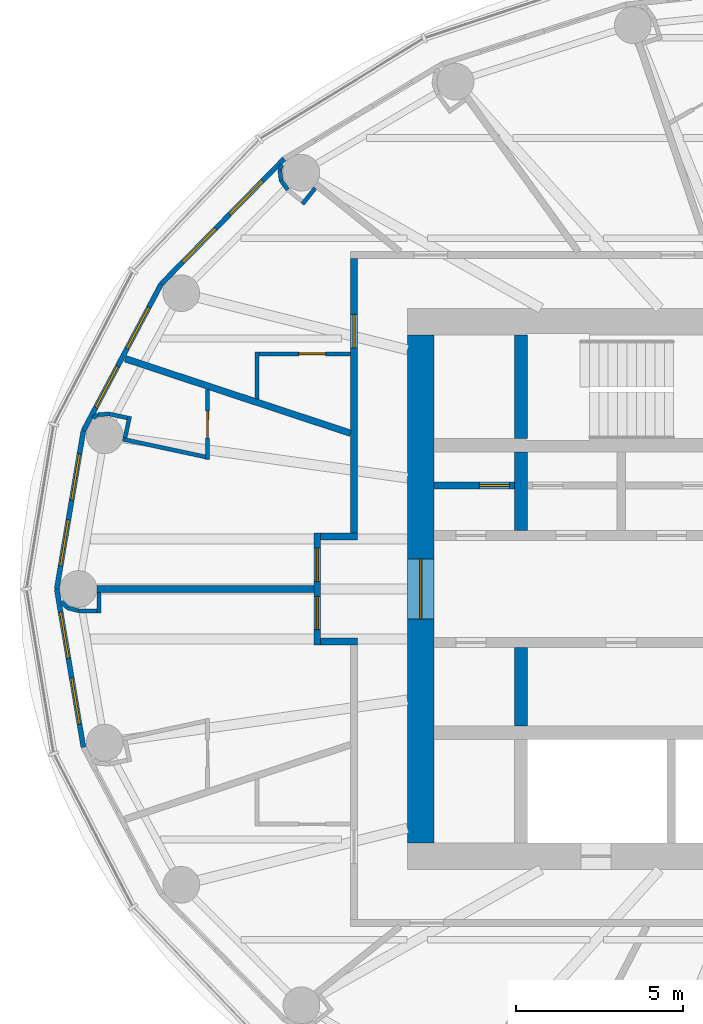
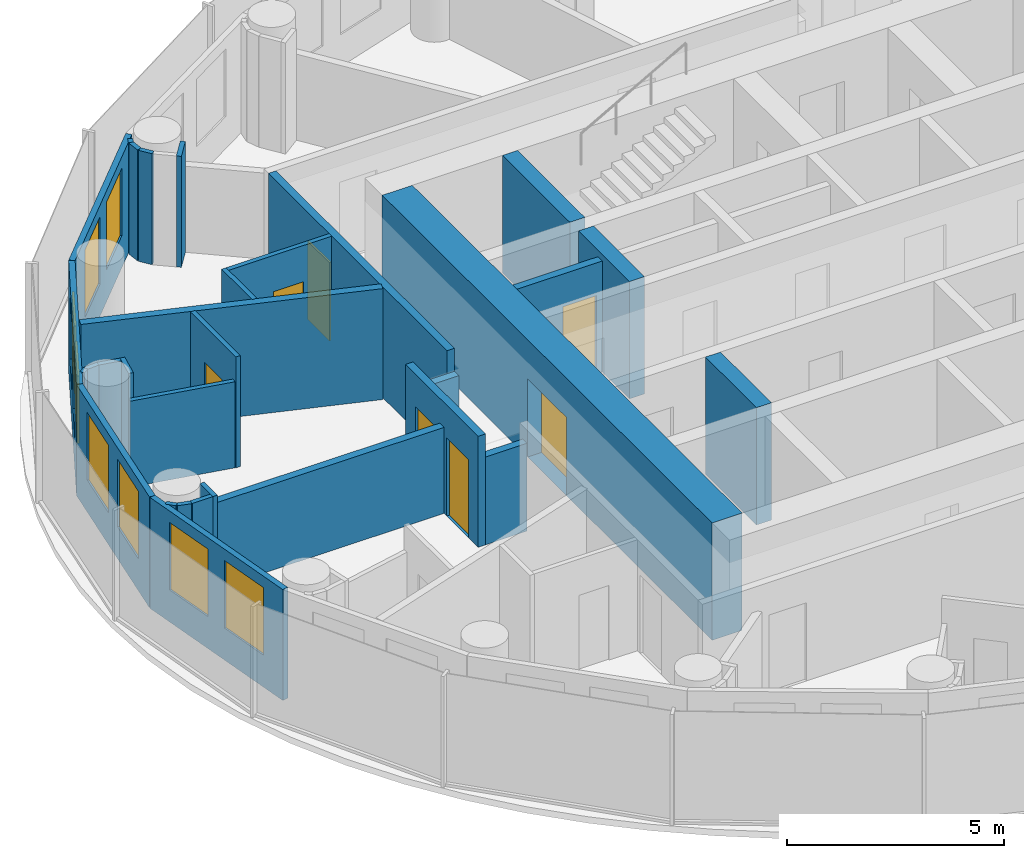
# One storey, part 8 of 13: 31 walls, 8 windows, 7 doors, 15 openings.
"""IFC4 building model written with IfcOpenShell, lengths in metres."""

import ifcopenshell
import ifcopenshell.guid

model = None  # the IFC model being written
_history = None  # IfcOwnerHistory: only IFC2X3 demands one
_inside = {}  # id of a spatial element -> (the spatial element, [elements in it])
_under = {}  # id of a project, library or spatial element -> (it, [spatial elements below it])
_declared = {}  # id of a project -> (the project, [libraries it declares])
_typed = {}  # id of a type object -> (the type object, [elements of that type])
_made_of = {}  # id of a material, layer set ... -> (it, [elements and type objects made of it])


def new_model(schema):
    """Start an empty IFC model of exactly this schema.

    Asked for "IFC4X3", IfcOpenShell would pick the latest addendum, in which some entities
    have other attributes; the version numbers below select the first issue.
    IFC2X3 requires an IfcOwnerHistory on every rooted entity: one is made here for all.
    """
    global model, _history
    if schema == "IFC4X3":
        model = ifcopenshell.file(schema_version=(4, 3, 0, 0))
    else:
        model = ifcopenshell.file(schema=schema)
    _inside.clear()
    _under.clear()
    _declared.clear()
    _typed.clear()
    _made_of.clear()
    _history = None
    if model.schema == "IFC2X3":
        org = make("IfcOrganization", Name="unknown")
        user = make(
            "IfcPersonAndOrganization",
            ThePerson=make("IfcPerson", FamilyName="unknown"),
            TheOrganization=org,
        )
        app = make(
            "IfcApplication",
            ApplicationDeveloper=org,
            Version="unknown",
            ApplicationFullName="unknown",
            ApplicationIdentifier="unknown",
        )
        _history = make(
            "IfcOwnerHistory",
            OwningUser=user,
            OwningApplication=app,
            ChangeAction="ADDED",
            CreationDate=0,
        )
    return model


def make(cls, **values):
    """One entity of the class cls with the attributes given. An attribute that is None is left unset."""
    return model.create_entity(
        cls, **{name: value for name, value in values.items() if value is not None}
    )


def rooted(cls, **values):
    """An entity with a GlobalId (a new one), such as an element, a storey or a relation."""
    return make(cls, GlobalId=ifcopenshell.guid.new(), OwnerHistory=_history, **values)


def si_unit(unit_type, name, prefix=None):
    """IfcSIUnit, for example si_unit("LENGTHUNIT", "METRE", prefix="MILLI")."""
    return make("IfcSIUnit", UnitType=unit_type, Prefix=prefix, Name=name)


def assignment(units):
    """IfcUnitAssignment: the units of a project."""
    return None if units is None else make("IfcUnitAssignment", Units=units)


def point(xyz):
    """IfcCartesianPoint."""
    return None if xyz is None else make("IfcCartesianPoint", Coordinates=xyz)


def direction(xyz):
    """IfcDirection."""
    return None if xyz is None else make("IfcDirection", DirectionRatios=xyz)


def frame(location, z_axis=None, x_axis=None):
    """IfcAxis2Placement3D, a coordinate frame: its origin and axes. An axis left out is left unset."""
    return make(
        "IfcAxis2Placement3D",
        Location=point(location),
        Axis=direction(z_axis),
        RefDirection=direction(x_axis),
    )


def frame_2d(location, x_axis=None):
    """IfcAxis2Placement2D, a coordinate frame in the plane: its origin and x axis."""
    return make(
        "IfcAxis2Placement2D", Location=point(location), RefDirection=direction(x_axis)
    )


def origin():
    """The frame at (0, 0, 0) with its axes left unset."""
    return frame((0.0, 0.0, 0.0))


def place(relative_to, where):
    """IfcLocalPlacement: puts the frame where relative to a parent placement (None: the world)."""
    return make(
        "IfcLocalPlacement", PlacementRelTo=relative_to, RelativePlacement=where
    )


def context(
    kind, dimensions, precision=None, world=None, true_north=None, identifier=None
):
    """IfcGeometricRepresentationContext, for example the 3D "Model" context."""
    return make(
        "IfcGeometricRepresentationContext",
        ContextIdentifier=identifier,
        ContextType=kind,
        CoordinateSpaceDimension=dimensions,
        Precision=precision,
        WorldCoordinateSystem=world,
        TrueNorth=true_north,
    )


def subcontext(parent, identifier, kind, view, scale=None):
    """IfcGeometricRepresentationSubContext, for example "Body" below "Model"."""
    return make(
        "IfcGeometricRepresentationSubContext",
        ContextIdentifier=identifier,
        ContextType=kind,
        ParentContext=parent,
        TargetScale=scale,
        TargetView=view,
    )


def project(units=None, contexts=None):
    """IfcProject with its units and contexts."""
    return rooted(
        "IfcProject",
        Name="project",
        RepresentationContexts=contexts,
        UnitsInContext=assignment(units),
    )


def spatial(cls, under=None, at=None, **own):
    """A site, building, storey or space (cls), placed at a placement, below another one or the project."""
    s = rooted(cls, ObjectPlacement=at, **own)
    if under is not None:
        _under.setdefault(under.id(), (under, []))[1].append(s)
    return s


def profile(cls, at=None, kind="AREA", **sizes):
    """A parametric profile (cls). Its sizes go by their IFC names, for example OverallWidth=200.0."""
    return make(cls, ProfileType=kind, Position=at, **sizes)


def rectangle(**sizes):
    """IfcRectangleProfileDef."""
    return profile("IfcRectangleProfileDef", **sizes)


def extrude(swept, where, along, depth):
    """IfcExtrudedAreaSolid: the profile swept, set in the frame where, extruded along a direction by depth."""
    return make(
        "IfcExtrudedAreaSolid",
        SweptArea=swept,
        Position=where,
        ExtrudedDirection=direction(along),
        Depth=depth,
    )


def shape(context_of_items, identifier, shape_type, items):
    """IfcShapeRepresentation: the items that make up one representation, for example the "Body"."""
    return make(
        "IfcShapeRepresentation",
        ContextOfItems=context_of_items,
        RepresentationIdentifier=identifier,
        RepresentationType=shape_type,
        Items=items,
    )


def material(Name=None, Category=None):
    """IfcMaterial."""
    return make("IfcMaterial", Name=Name, Category=Category)


def layer(
    of_material, thickness, ventilated=None, Name=None, Category=None, Priority=None
):
    """IfcMaterialLayer: one layer of a wall or slab, of a material (None: an air gap)."""
    return make(
        "IfcMaterialLayer",
        Material=of_material,
        LayerThickness=thickness,
        IsVentilated=ventilated,
        Name=Name,
        Category=Category,
        Priority=Priority,
    )


def layer_set(layers, Name=None):
    """IfcMaterialLayerSet."""
    return make("IfcMaterialLayerSet", MaterialLayers=layers, LayerSetName=Name)


def made_of(thing, what):
    """Note that an element or type object is made of a material, layer set ...; save() writes the relation."""
    if what is not None:
        _made_of.setdefault(what.id(), (what, []))[1].append(thing)
    return thing


def type_object(cls, material=None, **own):
    """A type object (cls), such as IfcWallType, which elements share."""
    return made_of(rooted(cls, **own), material)


def element(
    cls,
    number,
    at=None,
    inside=None,
    cuts=None,
    type_object=None,
    material=None,
    context=None,
    identifier="Body",
    shape_type=None,
    held_by="IfcProductDefinitionShape",
    body=None,
    shapes=None,
    **own,
):
    """One element of the class cls, such as IfcWall. Its Tag is "e" and its number.

    at: its placement. inside: the storey or other place that contains it. cuts: it is an
    opening in that element (IfcRelVoidsElement). A single representation is given by context,
    identifier, shape_type and body (its items); several are given by shapes. held_by: the class
    of the entity that holds the representations. save() writes the other relations.
    """
    e = rooted(cls, Tag="e%d" % number, ObjectPlacement=at, **own)
    if body is not None:
        shapes = [shape(context, identifier, shape_type, body)]
    if shapes is not None:
        e.Representation = make(held_by, Representations=shapes)
    if inside is not None:
        _inside.setdefault(inside.id(), (inside, []))[1].append(e)
    if cuts is not None:
        rooted(
            "IfcRelVoidsElement", RelatingBuildingElement=cuts, RelatedOpeningElement=e
        )
    if type_object is not None:
        _typed.setdefault(type_object.id(), (type_object, []))[1].append(e)
    return made_of(e, material)


def fill(opening, filler):
    """IfcRelFillsElement: the door or window that sits in an opening."""
    return rooted(
        "IfcRelFillsElement",
        RelatingOpeningElement=opening,
        RelatedBuildingElement=filler,
    )


def aggregate(whole, parts):
    """IfcRelAggregates: a whole, such as a stair, and the parts it consists of."""
    return rooted("IfcRelAggregates", RelatingObject=whole, RelatedObjects=parts)


def save(model, path):
    """Write the relations noted so far, then the file.

    IfcRelAggregates (storeys below a building ...), IfcRelContainedInSpatialStructure (elements
    in a storey), IfcRelDefinesByType, IfcRelAssociatesMaterial and IfcRelDeclares: one each for
    every whole, place, type object, material and project.
    """
    for whole, parts in _under.values():
        aggregate(whole, parts)
    for where, things in _inside.values():
        rooted(
            "IfcRelContainedInSpatialStructure",
            RelatedElements=things,
            RelatingStructure=where,
        )
    for kind, things in _typed.values():
        rooted("IfcRelDefinesByType", RelatedObjects=things, RelatingType=kind)
    for what, things in _made_of.values():
        rooted("IfcRelAssociatesMaterial", RelatedObjects=things, RelatingMaterial=what)
    for by, libraries in _declared.values():
        rooted("IfcRelDeclares", RelatingContext=by, RelatedDefinitions=libraries)
    model.write(path)


model = new_model("IFC4")

# Units and contexts
model_context = context("Model", 3, precision=1e-05, world=origin(), true_north=direction((0.0, 1.0)))
body_context = subcontext(model_context, "Body", "Model", "MODEL_VIEW")
ifc_project = project(units=[si_unit("LENGTHUNIT", "METRE"), si_unit("AREAUNIT", "SQUARE_METRE"), si_unit("VOLUMEUNIT", "CUBIC_METRE"), si_unit("PLANEANGLEUNIT", "RADIAN"), si_unit("MASSUNIT", "GRAM", prefix="KILO")], contexts=[model_context])

# Site, building, storey
site_placement = place(None, origin())
site = spatial("IfcSite", under=ifc_project, at=site_placement, CompositionType="ELEMENT")
building_placement = place(site_placement, origin())
building = spatial("IfcBuilding", under=site, at=building_placement, Name="Hankou Lantern Tower", CompositionType="ELEMENT")
storey_placement = place(building_placement, frame((0.0, 0.0, 163.199951171875)))
storey = spatial("IfcBuildingStorey", under=building, at=storey_placement, Name="L43", CompositionType="ELEMENT", Elevation=163.199951171875)

# Wall, opening, door
ifc_material_1 = material(Name="Concrete C60", Category="concrete")
ifc_layer_1 = layer(ifc_material_1, 0.800048828125)
ifc_layer_set_1 = layer_set([ifc_layer_1], Name="Concrete C60")
wall_type_1 = type_object("IfcWallType", Name="CW2 CORE WALL 800", PredefinedType="SHEAR", material=ifc_layer_set_1)
wall_1_placement = place(storey_placement, frame((-12.0, 7.60009765625, 0.0), z_axis=(0.0, 0.0, 1.0), x_axis=(0.0, -1.0, 0.0)))
wall_1 = element("IfcWall", 1, at=wall_1_placement, inside=storey, type_object=wall_type_1, Name="Core wall west L43", PredefinedType="SHEAR", context=body_context, shape_type="SweptSolid", body=[
    extrude(rectangle(XDim=15.2001953125, YDim=0.800048828125, at=frame_2d((7.60009765625, 0.0))), origin(), (0.0, 0.0, 1.0), 3.300048828125),
])
opening_1_placement = place(wall_1_placement, frame((6.699951171875, 0.0, 0.0)))
opening_1 = element("IfcOpeningElement", 2, at=opening_1_placement, cuts=wall_1, Name="Opening D6", PredefinedType="OPENING", context=body_context, shape_type="SweptSolid", body=[
    extrude(rectangle(XDim=1.800048828125, YDim=2.199951171875, at=frame_2d((0.89990234375, 1.10009765625))), frame((0.0, 0.409912109375, 0.0), z_axis=(0.0, -1.0, 0.0), x_axis=(1.0, 0.0, 0.0)), (0.0, 0.0, 1.0), 0.820068359375),
])
ifc_material_2 = material(Name="Steel door leaf", Category="steel")
door_type_1 = type_object("IfcDoorType", Name="D6 LIFT LOBBY DOOR 1800X2200", OperationType="DOUBLE_DOOR_DOUBLE_SWING", PredefinedType="DOOR", material=ifc_material_2)
door_1_placement = place(opening_1_placement, origin())
door_1 = element("IfcDoor", 3, at=door_1_placement, inside=storey, type_object=door_type_1, Name="Lift lobby west door", OperationType="DOUBLE_DOOR_DOUBLE_SWING", OverallHeight=2.199951171875, OverallWidth=1.800048828125, PredefinedType="DOOR", context=body_context, shape_type="SweptSolid", body=[
    extrude(rectangle(XDim=1.800048828125, YDim=2.199951171875, at=frame_2d((0.89990234375, 1.10009765625))), frame((0.0, 0.02490234375, 0.0), z_axis=(0.0, -1.0, 0.0), x_axis=(1.0, 0.0, 0.0)), (0.0, 0.0, 1.0), 0.050048828125),
])
fill(opening_1, door_1)

# Walls
ifc_material_3 = material(Name="Concrete C60", Category="concrete")
ifc_layer_2 = layer(ifc_material_3, 0.39990234375)
ifc_layer_set_2 = layer_set([ifc_layer_2], Name="Concrete C60")
wall_type_2 = type_object("IfcWallType", Name="CW4 CORE CROSS WALL 400", PredefinedType="SHEAR", material=ifc_layer_set_2)
wall_2_placement = place(storey_placement, frame((-9.0, 4.5, 0.0), z_axis=(0.0, 0.0, 1.0), x_axis=(0.0, 1.0, 0.0)))
element("IfcWall", 4, at=wall_2_placement, inside=storey, type_object=wall_type_2, Name="Core strip wall L43", PredefinedType="SHEAR", context=body_context, shape_type="SweptSolid", body=[
    extrude(rectangle(XDim=3.10009765625, YDim=0.39990234375, at=frame_2d((1.550048828125, 0.0))), origin(), (0.0, 0.0, 1.0), 3.300048828125),
])
for number, where, z_axis, x_axis, name in (
    (5, (-9.0, 1.75, 0.0), (0.0, 0.0, 1.0), (0.0, 1.0, 0.0), "Core strip wall L43"),
    (6, (-9.0, -4.10009765625, 0.0), (0.0, 0.0, 1.0), (0.0, 1.0, 0.0), "Core strip wall L43"),
):
    element("IfcWall", number, at=place(storey_placement, frame(where, z_axis=z_axis, x_axis=x_axis)), inside=storey, type_object=wall_type_2, Name=name, PredefinedType="SHEAR", context=body_context, shape_type="SweptSolid", body=[
        extrude(rectangle(XDim=2.35009765625, YDim=0.39990234375, at=frame_2d((1.175048828125, 0.0))), origin(), (0.0, 0.0, 1.0), 3.300048828125),
    ])

# Wall, openings, windows
ifc_material_4 = material(Name="Aluminium spandrel panel on steel studs", Category="steel")
ifc_layer_3 = layer(ifc_material_4, 0.14990234375)
ifc_layer_set_3 = layer_set([ifc_layer_3], Name="Aluminium spandrel panel on steel studs")
wall_type_3 = type_object("IfcWallType", Name="EW1 INNER SKIN WALL 150", PredefinedType="ELEMENTEDWALL", material=ifc_layer_set_3)
wall_3_placement = place(storey_placement, frame((-16.0947265625, 12.875732421875, 0.0), z_axis=(0.0, 0.0, 1.0), x_axis=(-0.700727467776, -0.71342905457, 0.0)))
wall_3 = element("IfcWall", 7, at=wall_3_placement, inside=storey, type_object=wall_type_3, Name="Inner skin R10-R11 L43", PredefinedType="ELEMENTEDWALL", context=body_context, shape_type="SweptSolid", body=[
    extrude(rectangle(XDim=5.247314453125, YDim=0.14990234375, at=frame_2d((2.62353515625, 0.0))), origin(), (0.0, 0.0, 1.0), 3.1201171875),
])
opening_2_placement = place(wall_3_placement, frame((0.923583984375, 0.0, 0.89990234375)))
opening_2 = element("IfcOpeningElement", 8, at=opening_2_placement, cuts=wall_3, Name="Opening W3", PredefinedType="OPENING", context=body_context, shape_type="SweptSolid", body=[
    extrude(rectangle(XDim=1.39990234375, YDim=1.89990234375, at=frame_2d((0.699951171875, 0.949951171875))), frame((0.0, 0.0849609375, 0.0), z_axis=(0.0, -1.0, 0.0), x_axis=(1.0, 0.0, 0.0)), (0.0, 0.0, 1.0), 0.169921875),
])
opening_3_placement = place(wall_3_placement, frame((2.923583984375, 0.0, 0.89990234375)))
opening_3 = element("IfcOpeningElement", 9, at=opening_3_placement, cuts=wall_3, Name="Opening W3", PredefinedType="OPENING", context=body_context, shape_type="SweptSolid", body=[
    extrude(rectangle(XDim=1.39990234375, YDim=1.89990234375, at=frame_2d((0.699951171875, 0.949951171875))), frame((0.0, 0.0849609375, 0.0), z_axis=(0.0, -1.0, 0.0), x_axis=(1.0, 0.0, 0.0)), (0.0, 0.0, 1.0), 0.169921875),
])
ifc_material_5 = material(Name="Aluminium framed double glazed window", Category="aluminium")
window_type = type_object("IfcWindowType", Name="W3 GUEST ROOM WINDOW 1400X1900", PartitioningType="DOUBLE_PANEL_VERTICAL", PredefinedType="WINDOW", material=ifc_material_5)
window_1_placement = place(opening_2_placement, origin())
window_1 = element("IfcWindow", 10, at=window_1_placement, inside=storey, type_object=window_type, Name="Window R10.1 L43", OverallHeight=1.89990234375, OverallWidth=1.39990234375, PartitioningType="SINGLE_PANEL", PredefinedType="WINDOW", context=body_context, shape_type="SweptSolid", body=[
    extrude(rectangle(XDim=1.39990234375, YDim=1.89990234375, at=frame_2d((0.699951171875, 0.949951171875))), frame((0.0, 0.030029296875, 0.0), z_axis=(0.0, -1.0, 0.0), x_axis=(1.0, 0.0, 0.0)), (0.0, 0.0, 1.0), 0.06005859375),
])
fill(opening_2, window_1)
window_2_placement = place(opening_3_placement, origin())
window_2 = element("IfcWindow", 11, at=window_2_placement, inside=storey, type_object=window_type, Name="Window R10.2 L43", OverallHeight=1.89990234375, OverallWidth=1.39990234375, PartitioningType="SINGLE_PANEL", PredefinedType="WINDOW", context=body_context, shape_type="SweptSolid", body=[
    extrude(rectangle(XDim=1.39990234375, YDim=1.89990234375, at=frame_2d((0.699951171875, 0.949951171875))), frame((0.0, 0.030029296875, 0.0), z_axis=(0.0, -1.0, 0.0), x_axis=(1.0, 0.0, 0.0)), (0.0, 0.0, 1.0), 0.06005859375),
])
fill(opening_3, window_2)

wall_4_placement = place(storey_placement, frame((-19.771728515625, 9.132080078125, 0.0), z_axis=(0.0, 0.0, 1.0), x_axis=(-0.468428906714, -0.883501193748, 0.0)))
wall_4 = element("IfcWall", 12, at=wall_4_placement, inside=storey, type_object=wall_type_3, Name="Inner skin R11-R12 L43", PredefinedType="ELEMENTEDWALL", context=body_context, shape_type="SweptSolid", body=[
    extrude(rectangle(XDim=4.9736328125, YDim=0.14990234375, at=frame_2d((2.48681640625, 0.0))), origin(), (0.0, 0.0, 1.0), 3.1201171875),
])
opening_4_placement = place(wall_4_placement, frame((0.786865234375, 0.0, 0.89990234375)))
opening_4 = element("IfcOpeningElement", 13, at=opening_4_placement, cuts=wall_4, Name="Opening W3", PredefinedType="OPENING", context=body_context, shape_type="SweptSolid", body=[
    extrude(rectangle(XDim=1.39990234375, YDim=1.89990234375, at=frame_2d((0.699951171875, 0.949951171875))), frame((0.0, 0.0849609375, 0.0), z_axis=(0.0, -1.0, 0.0), x_axis=(1.0, 0.0, 0.0)), (0.0, 0.0, 1.0), 0.169921875),
])
opening_5_placement = place(wall_4_placement, frame((2.786865234375, 0.0, 0.89990234375)))
opening_5 = element("IfcOpeningElement", 14, at=opening_5_placement, cuts=wall_4, Name="Opening W3", PredefinedType="OPENING", context=body_context, shape_type="SweptSolid", body=[
    extrude(rectangle(XDim=1.39990234375, YDim=1.89990234375, at=frame_2d((0.699951171875, 0.949951171875))), frame((0.0, 0.0849609375, 0.0), z_axis=(0.0, -1.0, 0.0), x_axis=(1.0, 0.0, 0.0)), (0.0, 0.0, 1.0), 0.169921875),
])
window_3_placement = place(opening_4_placement, origin())
window_3 = element("IfcWindow", 15, at=window_3_placement, inside=storey, type_object=window_type, Name="Window R11.1 L43", OverallHeight=1.89990234375, OverallWidth=1.39990234375, PartitioningType="SINGLE_PANEL", PredefinedType="WINDOW", context=body_context, shape_type="SweptSolid", body=[
    extrude(rectangle(XDim=1.39990234375, YDim=1.89990234375, at=frame_2d((0.699951171875, 0.949951171875))), frame((0.0, 0.030029296875, 0.0), z_axis=(0.0, -1.0, 0.0), x_axis=(1.0, 0.0, 0.0)), (0.0, 0.0, 1.0), 0.06005859375),
])
fill(opening_4, window_3)
window_4_placement = place(opening_5_placement, origin())
window_4 = element("IfcWindow", 16, at=window_4_placement, inside=storey, type_object=window_type, Name="Window R11.2 L43", OverallHeight=1.89990234375, OverallWidth=1.39990234375, PartitioningType="SINGLE_PANEL", PredefinedType="WINDOW", context=body_context, shape_type="SweptSolid", body=[
    extrude(rectangle(XDim=1.39990234375, YDim=1.89990234375, at=frame_2d((0.699951171875, 0.949951171875))), frame((0.0, 0.030029296875, 0.0), z_axis=(0.0, -1.0, 0.0), x_axis=(1.0, 0.0, 0.0)), (0.0, 0.0, 1.0), 0.06005859375),
])
fill(opening_5, window_4)

wall_5_placement = place(storey_placement, frame((-22.1015625, 4.73779296875, 0.0), z_axis=(0.0, 0.0, 1.0), x_axis=(-0.166162111254, -0.986098449843, 0.0)))
wall_5 = element("IfcWall", 17, at=wall_5_placement, inside=storey, type_object=wall_type_3, Name="Inner skin R12-R13 L43", PredefinedType="ELEMENTEDWALL", context=body_context, shape_type="SweptSolid", body=[
    extrude(rectangle(XDim=4.8046875, YDim=0.14990234375, at=frame_2d((2.40234375, 0.0))), origin(), (0.0, 0.0, 1.0), 3.1201171875),
])
opening_6_placement = place(wall_5_placement, frame((0.7021484375, 0.0, 0.89990234375)))
opening_6 = element("IfcOpeningElement", 18, at=opening_6_placement, cuts=wall_5, Name="Opening W3", PredefinedType="OPENING", context=body_context, shape_type="SweptSolid", body=[
    extrude(rectangle(XDim=1.39990234375, YDim=1.89990234375, at=frame_2d((0.699951171875, 0.949951171875))), frame((0.0, 0.0849609375, 0.0), z_axis=(0.0, -1.0, 0.0), x_axis=(1.0, 0.0, 0.0)), (0.0, 0.0, 1.0), 0.169921875),
])
opening_7_placement = place(wall_5_placement, frame((2.7021484375, 0.0, 0.89990234375)))
opening_7 = element("IfcOpeningElement", 19, at=opening_7_placement, cuts=wall_5, Name="Opening W3", PredefinedType="OPENING", context=body_context, shape_type="SweptSolid", body=[
    extrude(rectangle(XDim=1.39990234375, YDim=1.89990234375, at=frame_2d((0.699951171875, 0.949951171875))), frame((0.0, 0.0849609375, 0.0), z_axis=(0.0, -1.0, 0.0), x_axis=(1.0, 0.0, 0.0)), (0.0, 0.0, 1.0), 0.169921875),
])
window_5_placement = place(opening_6_placement, origin())
window_5 = element("IfcWindow", 20, at=window_5_placement, inside=storey, type_object=window_type, Name="Window R12.1 L43", OverallHeight=1.89990234375, OverallWidth=1.39990234375, PartitioningType="SINGLE_PANEL", PredefinedType="WINDOW", context=body_context, shape_type="SweptSolid", body=[
    extrude(rectangle(XDim=1.39990234375, YDim=1.89990234375, at=frame_2d((0.699951171875, 0.949951171875))), frame((0.0, 0.030029296875, 0.0), z_axis=(0.0, -1.0, 0.0), x_axis=(1.0, 0.0, 0.0)), (0.0, 0.0, 1.0), 0.06005859375),
])
fill(opening_6, window_5)
window_6_placement = place(opening_7_placement, origin())
window_6 = element("IfcWindow", 21, at=window_6_placement, inside=storey, type_object=window_type, Name="Window R12.2 L43", OverallHeight=1.89990234375, OverallWidth=1.39990234375, PartitioningType="SINGLE_PANEL", PredefinedType="WINDOW", context=body_context, shape_type="SweptSolid", body=[
    extrude(rectangle(XDim=1.39990234375, YDim=1.89990234375, at=frame_2d((0.699951171875, 0.949951171875))), frame((0.0, 0.030029296875, 0.0), z_axis=(0.0, -1.0, 0.0), x_axis=(1.0, 0.0, 0.0)), (0.0, 0.0, 1.0), 0.06005859375),
])
fill(opening_7, window_6)

wall_6_placement = place(storey_placement, frame((-22.89990234375, 0.0, 0.0), z_axis=(0.0, 0.0, 1.0), x_axis=(0.166162111254, -0.986098449843, 0.0)))
wall_6 = element("IfcWall", 22, at=wall_6_placement, inside=storey, type_object=wall_type_3, Name="Inner skin R13-R14 L43", PredefinedType="ELEMENTEDWALL", context=body_context, shape_type="SweptSolid", body=[
    extrude(rectangle(XDim=4.8046875, YDim=0.14990234375, at=frame_2d((2.40234375, 0.0))), origin(), (0.0, 0.0, 1.0), 3.1201171875),
])
opening_8_placement = place(wall_6_placement, frame((0.7021484375, 0.0, 0.89990234375)))
opening_8 = element("IfcOpeningElement", 23, at=opening_8_placement, cuts=wall_6, Name="Opening W3", PredefinedType="OPENING", context=body_context, shape_type="SweptSolid", body=[
    extrude(rectangle(XDim=1.39990234375, YDim=1.89990234375, at=frame_2d((0.699951171875, 0.949951171875))), frame((0.0, 0.0849609375, 0.0), z_axis=(0.0, -1.0, 0.0), x_axis=(1.0, 0.0, 0.0)), (0.0, 0.0, 1.0), 0.169921875),
])
opening_9_placement = place(wall_6_placement, frame((2.7021484375, 0.0, 0.89990234375)))
opening_9 = element("IfcOpeningElement", 24, at=opening_9_placement, cuts=wall_6, Name="Opening W3", PredefinedType="OPENING", context=body_context, shape_type="SweptSolid", body=[
    extrude(rectangle(XDim=1.39990234375, YDim=1.89990234375, at=frame_2d((0.699951171875, 0.949951171875))), frame((0.0, 0.0849609375, 0.0), z_axis=(0.0, -1.0, 0.0), x_axis=(1.0, 0.0, 0.0)), (0.0, 0.0, 1.0), 0.169921875),
])
window_7_placement = place(opening_8_placement, origin())
window_7 = element("IfcWindow", 25, at=window_7_placement, inside=storey, type_object=window_type, Name="Window R13.1 L43", OverallHeight=1.89990234375, OverallWidth=1.39990234375, PartitioningType="SINGLE_PANEL", PredefinedType="WINDOW", context=body_context, shape_type="SweptSolid", body=[
    extrude(rectangle(XDim=1.39990234375, YDim=1.89990234375, at=frame_2d((0.699951171875, 0.949951171875))), frame((0.0, 0.030029296875, 0.0), z_axis=(0.0, -1.0, 0.0), x_axis=(1.0, 0.0, 0.0)), (0.0, 0.0, 1.0), 0.06005859375),
])
fill(opening_8, window_7)
window_8_placement = place(opening_9_placement, origin())
window_8 = element("IfcWindow", 26, at=window_8_placement, inside=storey, type_object=window_type, Name="Window R13.2 L43", OverallHeight=1.89990234375, OverallWidth=1.39990234375, PartitioningType="SINGLE_PANEL", PredefinedType="WINDOW", context=body_context, shape_type="SweptSolid", body=[
    extrude(rectangle(XDim=1.39990234375, YDim=1.89990234375, at=frame_2d((0.699951171875, 0.949951171875))), frame((0.0, 0.030029296875, 0.0), z_axis=(0.0, -1.0, 0.0), x_axis=(1.0, 0.0, 0.0)), (0.0, 0.0, 1.0), 0.06005859375),
])
fill(opening_9, window_8)

# Walls
ifc_material_6 = material(Name="Masonry lightweight concrete block", Category="masonry")
ifc_layer_4 = layer(ifc_material_6, 0.199951171875)
ifc_layer_set_4 = layer_set([ifc_layer_4], Name="Masonry lightweight concrete block")
wall_type_4 = type_object("IfcWallType", Name="IW1 GUEST ROOM PARTY WALL 200", PredefinedType="PARTITIONING", material=ifc_layer_set_4)
wall_7_placement = place(storey_placement, frame((-14.10009765625, 4.661376953125, 0.0), z_axis=(0.0, 0.0, 1.0), x_axis=(-0.949453216399, 0.313908569285, 0.0)))
element("IfcWall", 27, at=wall_7_placement, inside=storey, type_object=wall_type_4, Name="Party wall R11-R12", PredefinedType="PARTITIONING", context=body_context, shape_type="SweptSolid", body=[
    extrude(rectangle(XDim=7.108642578125, YDim=0.199951171875, at=frame_2d((3.55419921875, 0.0))), origin(), (0.0, 0.0, 1.0), 3.1201171875),
])
wall_8_placement = place(storey_placement, frame((-15.199951171875, 0.0, 0.0), z_axis=(0.0, 0.0, 1.0), x_axis=(-1.0, 0.0, 0.0)))
element("IfcWall", 28, at=wall_8_placement, inside=storey, type_object=wall_type_4, Name="Party wall R13", PredefinedType="PARTITIONING", context=body_context, shape_type="SweptSolid", body=[
    extrude(rectangle(XDim=6.5, YDim=0.199951171875, at=frame_2d((3.25, 0.0))), origin(), (0.0, 0.0, 1.0), 2.420166015625),
])

# Wall, openings, doors
ifc_material_7 = material(Name="Masonry lightweight concrete block", Category="masonry")
ifc_layer_5 = layer(ifc_material_7, 0.199951171875)
ifc_layer_set_5 = layer_set([ifc_layer_5], Name="Masonry lightweight concrete block")
wall_type_5 = type_object("IfcWallType", Name="IW2 CORRIDOR WALL 200", PredefinedType="PARTITIONING", material=ifc_layer_set_5)
wall_9_placement = place(storey_placement, frame((-15.10009765625, 1.669921875, 0.0), z_axis=(0.0, 0.0, 1.0), x_axis=(0.0, -1.0, 0.0)))
wall_9 = element("IfcWall", 29, at=wall_9_placement, inside=storey, type_object=wall_type_5, Name="Corridor alcove wall 4303-4304 back", PredefinedType="PARTITIONING", context=body_context, shape_type="SweptSolid", body=[
    extrude(rectangle(XDim=3.33984375, YDim=0.199951171875, at=frame_2d((1.669921875, 0.0))), origin(), (0.0, 0.0, 1.0), 3.1201171875),
])
opening_10_placement = place(wall_9_placement, frame((0.449951171875, 0.0, 0.0)))
opening_10 = element("IfcOpeningElement", 30, at=opening_10_placement, cuts=wall_9, Name="Opening D1", PredefinedType="OPENING", context=body_context, shape_type="SweptSolid", body=[
    extrude(rectangle(XDim=1.0, YDim=2.199951171875, at=frame_2d((0.5, 1.10009765625))), frame((0.0, 0.10986328125, 0.0), z_axis=(0.0, -1.0, 0.0), x_axis=(1.0, 0.0, 0.0)), (0.0, 0.0, 1.0), 0.219970703125),
])
opening_11_placement = place(wall_9_placement, frame((1.889892578125, 0.0, 0.0)))
opening_11 = element("IfcOpeningElement", 31, at=opening_11_placement, cuts=wall_9, Name="Opening D1", PredefinedType="OPENING", context=body_context, shape_type="SweptSolid", body=[
    extrude(rectangle(XDim=1.0, YDim=2.199951171875, at=frame_2d((0.5, 1.10009765625))), frame((0.0, 0.10986328125, 0.0), z_axis=(0.0, -1.0, 0.0), x_axis=(1.0, 0.0, 0.0)), (0.0, 0.0, 1.0), 0.219970703125),
])
ifc_material_8 = material(Name="Steel door leaf", Category="steel")
door_type_2 = type_object("IfcDoorType", Name="D1 GUEST ROOM DOOR 1000X2200", OperationType="SINGLE_SWING_LEFT", PredefinedType="DOOR", material=ifc_material_8)
door_2_placement = place(opening_10_placement, origin())
door_2 = element("IfcDoor", 32, at=door_2_placement, inside=storey, type_object=door_type_2, Name="Guest room door 4303", OperationType="SINGLE_SWING_LEFT", OverallHeight=2.199951171875, OverallWidth=1.0, PredefinedType="DOOR", context=body_context, shape_type="SweptSolid", body=[
    extrude(rectangle(XDim=1.0, YDim=2.199951171875, at=frame_2d((0.5, 1.10009765625))), frame((0.0, 0.02490234375, 0.0), z_axis=(0.0, -1.0, 0.0), x_axis=(1.0, 0.0, 0.0)), (0.0, 0.0, 1.0), 0.050048828125),
])
fill(opening_10, door_2)
door_3_placement = place(opening_11_placement, origin())
door_3 = element("IfcDoor", 33, at=door_3_placement, inside=storey, type_object=door_type_2, Name="Guest room door 4304", OperationType="SINGLE_SWING_RIGHT", OverallHeight=2.199951171875, OverallWidth=1.0, PredefinedType="DOOR", context=body_context, shape_type="SweptSolid", body=[
    extrude(rectangle(XDim=1.0, YDim=2.199951171875, at=frame_2d((0.5, 1.10009765625))), frame((0.0, 0.02490234375, 0.0), z_axis=(0.0, -1.0, 0.0), x_axis=(1.0, 0.0, 0.0)), (0.0, 0.0, 1.0), 0.050048828125),
])
fill(opening_11, door_3)

# Walls
for number, where, z_axis, x_axis, name in (
    (34, (-13.89990234375, 1.570068359375, 0.0), (0.0, 0.0, 1.0), (-1.0, 0.0, 0.0), "Corridor alcove wall 4303-4304 left"),
    (35, (-13.89990234375, -1.570068359375, 0.0), (0.0, 0.0, 1.0), (-1.0, 0.0, 0.0), "Corridor alcove wall 4303-4304 right"),
):
    element("IfcWall", number, at=place(storey_placement, frame(where, z_axis=z_axis, x_axis=x_axis)), inside=storey, type_object=wall_type_5, Name=name, PredefinedType="PARTITIONING", context=body_context, shape_type="SweptSolid", body=[
        extrude(rectangle(XDim=1.10009765625, YDim=0.199951171875, at=frame_2d((0.550048828125, 0.0))), origin(), (0.0, 0.0, 1.0), 2.469970703125),
    ])

# Wall, opening, door
wall_10_placement = place(storey_placement, frame((-14.0, 9.89990234375, 0.0), z_axis=(0.0, 0.0, 1.0), x_axis=(0.0, -1.0, 0.0)))
wall_10 = element("IfcWall", 36, at=wall_10_placement, inside=storey, type_object=wall_type_5, Name="Corridor wall west", PredefinedType="PARTITIONING", context=body_context, shape_type="SweptSolid", body=[
    extrude(rectangle(XDim=8.22998046875, YDim=0.199951171875, at=frame_2d((4.114990234375, 0.0))), origin(), (0.0, 0.0, 1.0), 3.1201171875),
])
opening_12_placement = place(wall_10_placement, frame((1.678466796875, 0.0, 0.0)))
opening_12 = element("IfcOpeningElement", 37, at=opening_12_placement, cuts=wall_10, Name="Opening D1", PredefinedType="OPENING", context=body_context, shape_type="SweptSolid", body=[
    extrude(rectangle(XDim=1.0, YDim=2.199951171875, at=frame_2d((0.5, 1.10009765625))), frame((0.0, 0.10986328125, 0.0), z_axis=(0.0, -1.0, 0.0), x_axis=(1.0, 0.0, 0.0)), (0.0, 0.0, 1.0), 0.219970703125),
])
door_4_placement = place(opening_12_placement, origin())
door_4 = element("IfcDoor", 38, at=door_4_placement, inside=storey, type_object=door_type_2, Name="Guest room door 4302", OperationType="SINGLE_SWING_LEFT", OverallHeight=2.199951171875, OverallWidth=1.0, PredefinedType="DOOR", context=body_context, shape_type="SweptSolid", body=[
    extrude(rectangle(XDim=1.0, YDim=2.199951171875, at=frame_2d((0.5, 1.10009765625))), frame((0.0, 0.02490234375, 0.0), z_axis=(0.0, -1.0, 0.0), x_axis=(1.0, 0.0, 0.0)), (0.0, 0.0, 1.0), 0.050048828125),
])
fill(opening_12, door_4)

# Wall
ifc_material_9 = material(Name="Masonry lightweight concrete block", Category="masonry")
ifc_layer_6 = layer(ifc_material_9, 0.1201171875)
ifc_layer_set_6 = layer_set([ifc_layer_6], Name="Masonry lightweight concrete block")
wall_type_6 = type_object("IfcWallType", Name="IW3 BATHROOM WALL 120", PredefinedType="PARTITIONING", material=ifc_layer_set_6)
wall_11_placement = place(storey_placement, frame((-16.89990234375, 5.687255859375, 0.0), z_axis=(0.0, 0.0, 1.0), x_axis=(0.0, 1.0, 0.0)))
element("IfcWall", 39, at=wall_11_placement, inside=storey, type_object=wall_type_6, Name="Box wall 4302 1", PredefinedType="PARTITIONING", context=body_context, shape_type="SweptSolid", body=[
    extrude(rectangle(XDim=1.414306640625, YDim=0.1201171875, at=frame_2d((0.70703125, 0.0))), origin(), (0.0, 0.0, 1.0), 3.1201171875),
])

# Wall, opening, door
wall_12_placement = place(storey_placement, frame((-14.10009765625, 7.04150390625, 0.0), z_axis=(0.0, 0.0, 1.0), x_axis=(-1.0, 0.0, 0.0)))
wall_12 = element("IfcWall", 40, at=wall_12_placement, inside=storey, type_object=wall_type_6, Name="Box wall 4302 1", PredefinedType="PARTITIONING", context=body_context, shape_type="SweptSolid", body=[
    extrude(rectangle(XDim=2.739990234375, YDim=0.1201171875, at=frame_2d((1.3701171875, 0.0))), origin(), (0.0, 0.0, 1.0), 3.1201171875),
])
opening_13_placement = place(wall_12_placement, frame((0.75, 0.0, 0.0)))
opening_13 = element("IfcOpeningElement", 41, at=opening_13_placement, cuts=wall_12, Name="Opening D3", PredefinedType="OPENING", context=body_context, shape_type="SweptSolid", body=[
    extrude(rectangle(XDim=0.800048828125, YDim=2.10009765625, at=frame_2d((0.39990234375, 1.050048828125))), frame((0.0, 0.070068359375, 0.0), z_axis=(0.0, -1.0, 0.0), x_axis=(1.0, 0.0, 0.0)), (0.0, 0.0, 1.0), 0.14013671875),
])
ifc_material_10 = material(Name="Timber door leaf", Category="wood")
door_type_3 = type_object("IfcDoorType", Name="D3 BATHROOM DOOR 800X2100", OperationType="SINGLE_SWING_LEFT", PredefinedType="DOOR", material=ifc_material_10)
door_5_placement = place(opening_13_placement, origin())
door_5 = element("IfcDoor", 42, at=door_5_placement, inside=storey, type_object=door_type_3, Name="En-suite bathroom 4302 door", OperationType="SINGLE_SWING_LEFT", OverallHeight=2.10009765625, OverallWidth=0.800048828125, PredefinedType="DOOR", context=body_context, shape_type="SweptSolid", body=[
    extrude(rectangle(XDim=0.800048828125, YDim=2.10009765625, at=frame_2d((0.39990234375, 1.050048828125))), frame((0.0, 0.02490234375, 0.0), z_axis=(0.0, -1.0, 0.0), x_axis=(1.0, 0.0, 0.0)), (0.0, 0.0, 1.0), 0.050048828125),
])
fill(opening_13, door_5)

wall_13_placement = place(storey_placement, frame((-18.380859375, 5.971435546875, 0.0), z_axis=(0.0, 0.0, 1.0), x_axis=(-0.000934142516, -0.999999563689, 0.0)))
wall_13 = element("IfcWall", 43, at=wall_13_placement, inside=storey, type_object=wall_type_6, Name="Box wall 4303 1", PredefinedType="PARTITIONING", context=body_context, shape_type="SweptSolid", body=[
    extrude(rectangle(XDim=2.0908203125, YDim=0.1201171875, at=frame_2d((1.04541015625, 0.0))), origin(), (0.0, 0.0, 1.0), 3.1201171875),
])
opening_14_placement = place(wall_13_placement, frame((0.6455078125, 0.0, 0.0)))
opening_14 = element("IfcOpeningElement", 44, at=opening_14_placement, cuts=wall_13, Name="Opening D3", PredefinedType="OPENING", context=body_context, shape_type="SweptSolid", body=[
    extrude(rectangle(XDim=0.800048828125, YDim=2.10009765625, at=frame_2d((0.39990234375, 1.050048828125))), frame((0.0, 0.070068359375, 0.0), z_axis=(0.0, -1.0, 0.0), x_axis=(1.0, 0.0, 0.0)), (0.0, 0.0, 1.0), 0.14013671875),
])
door_6_placement = place(opening_14_placement, origin())
door_6 = element("IfcDoor", 45, at=door_6_placement, inside=storey, type_object=door_type_3, Name="En-suite bathroom 4303 door", OperationType="SINGLE_SWING_LEFT", OverallHeight=2.10009765625, OverallWidth=0.800048828125, PredefinedType="DOOR", context=body_context, shape_type="SweptSolid", body=[
    extrude(rectangle(XDim=0.800048828125, YDim=2.10009765625, at=frame_2d((0.39990234375, 1.050048828125))), frame((0.0, 0.02490234375, 0.0), z_axis=(0.0, -1.0, 0.0), x_axis=(1.0, 0.0, 0.0)), (0.0, 0.0, 1.0), 0.050048828125),
])
fill(opening_14, door_6)

# Walls
wall_14_placement = place(storey_placement, frame((-18.44140625, 3.953125, 0.0), z_axis=(0.0, 0.0, 1.0), x_axis=(-0.977801007461, 0.209535652833, 0.0)))
element("IfcWall", 46, at=wall_14_placement, inside=storey, type_object=wall_type_6, Name="Box wall 4303 2", PredefinedType="PARTITIONING", context=body_context, shape_type="SweptSolid", body=[
    extrude(rectangle(XDim=2.5400390625, YDim=0.1201171875, at=frame_2d((1.27001953125, 0.0))), origin(), (0.0, 0.0, 1.0), 2.420166015625),
])
wall_15_placement = place(storey_placement, frame((-20.853759765625, 4.531494140625, 0.0), z_axis=(0.0, 0.0, 1.0), x_axis=(0.209631346779, 0.977780496046, 0.0)))
element("IfcWall", 47, at=wall_15_placement, inside=storey, type_object=wall_type_6, Name="Column casing 4303 return", PredefinedType="PARTITIONING", context=body_context, shape_type="SweptSolid", body=[
    extrude(rectangle(XDim=0.652099609375, YDim=0.1201171875, at=frame_2d((0.326171875, 0.0))), origin(), (0.0, 0.0, 1.0), 3.1201171875),
])
wall_16_placement = place(storey_placement, frame((-20.788330078125, 5.123291015625, 0.0), z_axis=(0.0, 0.0, 1.0), x_axis=(-0.977789415726, 0.209589738521, 0.0)))
element("IfcWall", 48, at=wall_16_placement, inside=storey, type_object=wall_type_6, Name="Column casing 4303", PredefinedType="PARTITIONING", context=body_context, shape_type="SweptSolid", body=[
    extrude(rectangle(XDim=0.5498046875, YDim=0.1201171875, at=frame_2d((0.27490234375, 0.0))), origin(), (0.0, 0.0, 1.0), 3.1201171875),
])
wall_17_placement = place(storey_placement, frame((-21.325927734375, 5.238525390625, 0.0), z_axis=(0.0, 0.0, 1.0), x_axis=(-0.998719689441, -0.050586380797, 0.0)))
element("IfcWall", 49, at=wall_17_placement, inside=storey, type_object=wall_type_6, Name="Column casing 4303", PredefinedType="PARTITIONING", context=body_context, shape_type="SweptSolid", body=[
    extrude(rectangle(XDim=0.337890625, YDim=0.1201171875, at=frame_2d((0.1689453125, 0.0))), origin(), (0.0, 0.0, 1.0), 3.1201171875),
])
wall_18_placement = place(storey_placement, frame((-21.663330078125, 5.221435546875, 0.0), z_axis=(0.0, 0.0, 1.0), x_axis=(-0.839279022252, -0.543700949795, 0.0)))
element("IfcWall", 50, at=wall_18_placement, inside=storey, type_object=wall_type_6, Name="Column casing 4303", PredefinedType="PARTITIONING", context=body_context, shape_type="SweptSolid", body=[
    extrude(rectangle(XDim=0.18017578125, YDim=0.1201171875, at=frame_2d((0.090087890625, 0.0))), origin(), (0.0, 0.0, 1.0), 3.1201171875),
])
ifc_material_11 = material(Name="Masonry lightweight concrete block", Category="masonry")
ifc_layer_7 = layer(ifc_material_11, 0.1201171875)
ifc_layer_set_7 = layer_set([ifc_layer_7], Name="Masonry lightweight concrete block")
wall_type_7 = type_object("IfcWallType", Name="IW4 PARTITION 120", PredefinedType="PARTITIONING", material=ifc_layer_set_7)
wall_19_placement = place(storey_placement, frame((-15.162353515625, 12.001708984375, 0.0), z_axis=(0.0, 0.0, 1.0), x_axis=(-0.624597762427, -0.780946627607, 0.0)))
element("IfcWall", 51, at=wall_19_placement, inside=storey, type_object=wall_type_7, Name="Column casing R10 return", PredefinedType="PARTITIONING", context=body_context, shape_type="SweptSolid", body=[
    extrude(rectangle(XDim=0.612060546875, YDim=0.1201171875, at=frame_2d((0.30615234375, 0.0))), origin(), (0.0, 0.0, 1.0), 3.1201171875),
])
wall_20_placement = place(storey_placement, frame((-15.983642578125, 11.95166015625, 0.0), z_axis=(0.0, 0.0, 1.0), x_axis=(-0.592335221171, 0.805691619517, 0.0)))
element("IfcWall", 52, at=wall_20_placement, inside=storey, type_object=wall_type_7, Name="Column casing R10", PredefinedType="PARTITIONING", context=body_context, shape_type="SweptSolid", body=[
    extrude(rectangle(XDim=0.337646484375, YDim=0.1201171875, at=frame_2d((0.1689453125, 0.0))), origin(), (0.0, 0.0, 1.0), 3.1201171875),
])
wall_21_placement = place(storey_placement, frame((-16.18359375, 12.2236328125, 0.0), z_axis=(0.0, 0.0, 1.0), x_axis=(-0.110669692975, 0.993857242795, 0.0)))
element("IfcWall", 53, at=wall_21_placement, inside=storey, type_object=wall_type_7, Name="Column casing R10", PredefinedType="PARTITIONING", context=body_context, shape_type="SweptSolid", body=[
    extrude(rectangle(XDim=0.33740234375, YDim=0.1201171875, at=frame_2d((0.168701171875, 0.0))), origin(), (0.0, 0.0, 1.0), 3.1201171875),
])
wall_22_placement = place(storey_placement, frame((-16.220947265625, 12.55908203125, 0.0), z_axis=(0.0, 0.0, 1.0), x_axis=(0.401064416249, 0.916049853457, 0.0)))
element("IfcWall", 54, at=wall_22_placement, inside=storey, type_object=wall_type_7, Name="Column casing R10", PredefinedType="PARTITIONING", context=body_context, shape_type="SweptSolid", body=[
    extrude(rectangle(XDim=0.156494140625, YDim=0.1201171875, at=frame_2d((0.078125, 0.0))), origin(), (0.0, 0.0, 1.0), 3.1201171875),
])
wall_23_placement = place(storey_placement, frame((-21.639892578125, -0.10009765625, 0.0), z_axis=(0.0, 0.0, 1.0), x_axis=(0.0, -1.0, 0.0)))
element("IfcWall", 55, at=wall_23_placement, inside=storey, type_object=wall_type_7, Name="Column casing R13 return", PredefinedType="PARTITIONING", context=body_context, shape_type="SweptSolid", body=[
    extrude(rectangle(XDim=0.612060546875, YDim=0.1201171875, at=frame_2d((0.30615234375, 0.0))), origin(), (0.0, 0.0, 1.0), 3.1201171875),
])
wall_24_placement = place(storey_placement, frame((-21.699951171875, -0.65234375, 0.0), z_axis=(0.0, 0.0, 1.0), x_axis=(-1.0, 0.0, 0.0)))
element("IfcWall", 56, at=wall_24_placement, inside=storey, type_object=wall_type_7, Name="Column casing R13", PredefinedType="PARTITIONING", context=body_context, shape_type="SweptSolid", body=[
    extrude(rectangle(XDim=0.550048828125, YDim=0.1201171875, at=frame_2d((0.27490234375, 0.0))), origin(), (0.0, 0.0, 1.0), 3.1201171875),
])
wall_25_placement = place(storey_placement, frame((-22.25, -0.65234375, 0.0), z_axis=(0.0, 0.0, 1.0), x_axis=(-0.965922233104, 0.258832454679, 0.0)))
element("IfcWall", 57, at=wall_25_placement, inside=storey, type_object=wall_type_7, Name="Column casing R13", PredefinedType="PARTITIONING", context=body_context, shape_type="SweptSolid", body=[
    extrude(rectangle(XDim=0.337646484375, YDim=0.1201171875, at=frame_2d((0.1689453125, 0.0))), origin(), (0.0, 0.0, 1.0), 3.1201171875),
])
wall_26_placement = place(storey_placement, frame((-22.576171875, -0.56494140625, 0.0), z_axis=(0.0, 0.0, 1.0), x_axis=(-0.706639272724, 0.707573980757, 0.0)))
element("IfcWall", 58, at=wall_26_placement, inside=storey, type_object=wall_type_7, Name="Column casing R13", PredefinedType="PARTITIONING", context=body_context, shape_type="SweptSolid", body=[
    extrude(rectangle(XDim=0.26123046875, YDim=0.1201171875, at=frame_2d((0.130615234375, 0.0))), origin(), (0.0, 0.0, 1.0), 3.1201171875),
])

# Wall, opening, door
ifc_material_12 = material(Name="Masonry lightweight concrete block", Category="masonry")
ifc_layer_8 = layer(ifc_material_12, 0.199951171875)
ifc_layer_set_8 = layer_set([ifc_layer_8], Name="Masonry lightweight concrete block")
wall_type_8 = type_object("IfcWallType", Name="IW8 PARTITION 200", PredefinedType="PARTITIONING", material=ifc_layer_set_8)
wall_27_placement = place(storey_placement, frame((-11.60009765625, 3.10009765625, 0.0), z_axis=(0.0, 0.0, 1.0), x_axis=(1.0, 0.0, 0.0)))
wall_27 = element("IfcWall", 59, at=wall_27_placement, inside=storey, type_object=wall_type_8, Name="Partition engineering store", PredefinedType="PARTITIONING", context=body_context, shape_type="SweptSolid", body=[
    extrude(rectangle(XDim=2.400146484375, YDim=0.199951171875, at=frame_2d((1.2001953125, 0.0))), origin(), (0.0, 0.0, 1.0), 3.1201171875),
])
opening_15_placement = place(wall_27_placement, frame((1.35009765625, 0.0, 0.0)))
opening_15 = element("IfcOpeningElement", 60, at=opening_15_placement, cuts=wall_27, Name="Opening D12", PredefinedType="OPENING", context=body_context, shape_type="SweptSolid", body=[
    extrude(rectangle(XDim=0.89990234375, YDim=2.199951171875, at=frame_2d((0.449951171875, 1.10009765625))), frame((0.0, 0.10986328125, 0.0), z_axis=(0.0, -1.0, 0.0), x_axis=(1.0, 0.0, 0.0)), (0.0, 0.0, 1.0), 0.219970703125),
])
ifc_material_13 = material(Name="Steel door leaf", Category="steel")
door_type_4 = type_object("IfcDoorType", Name="D12 STORE DOOR 900X2200", OperationType="SINGLE_SWING_LEFT", PredefinedType="DOOR", material=ifc_material_13)
door_7_placement = place(opening_15_placement, origin())
door_7 = element("IfcDoor", 61, at=door_7_placement, inside=storey, type_object=door_type_4, Name="Electrical cupboard door", OperationType="SINGLE_SWING_RIGHT", OverallHeight=2.199951171875, OverallWidth=0.89990234375, PredefinedType="DOOR", context=body_context, shape_type="SweptSolid", body=[
    extrude(rectangle(XDim=0.89990234375, YDim=2.199951171875, at=frame_2d((0.449951171875, 1.10009765625))), frame((0.0, 0.02490234375, 0.0), z_axis=(0.0, -1.0, 0.0), x_axis=(1.0, 0.0, 0.0)), (0.0, 0.0, 1.0), 0.050048828125),
])
fill(opening_15, door_7)

save(model, "model.ifc")
